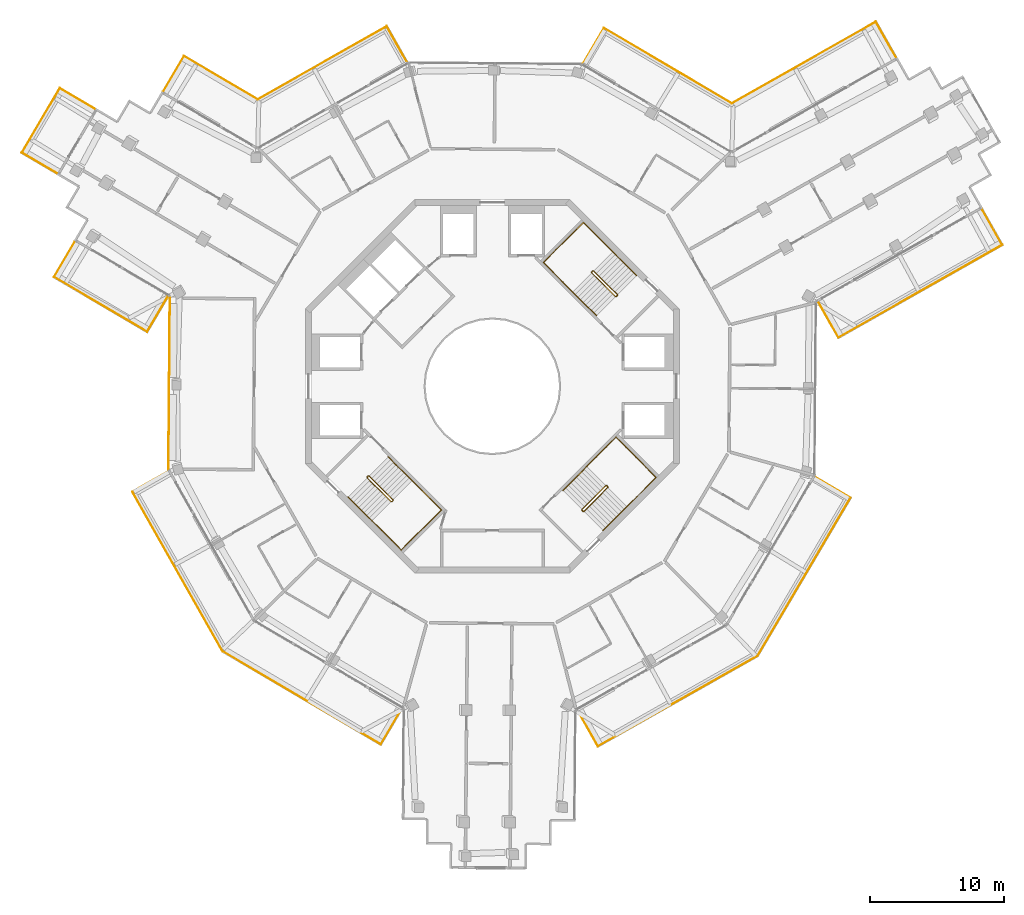
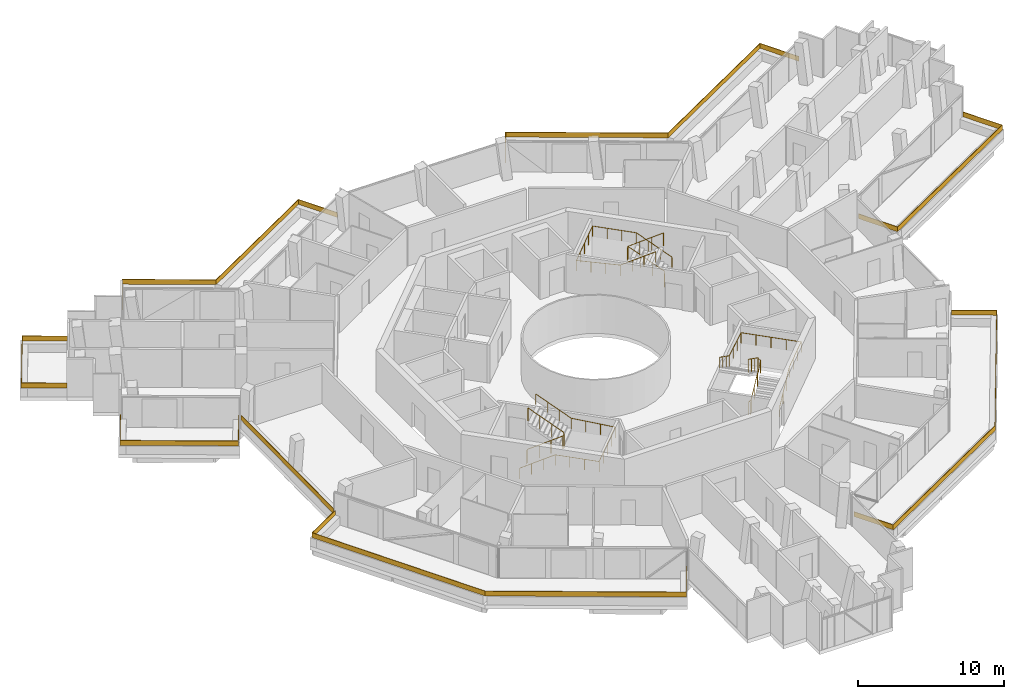
# One storey, part 24 of 24: 14 railings.
"""IFC4 building model written with IfcOpenShell, lengths in metres."""

from ifc_helpers import new_model, si_unit, direction, frame, origin, origin_2d, place, context, subcontext, project, spatial, polyline, rectangle, circle, outline, extrude, material, layer, layer_set, type_object, element, save


model = new_model("IFC4")

# Units and contexts
model_context = context("Model", 3, precision=1e-05, world=origin(), true_north=direction((0.0, 1.0)))
body_context = subcontext(model_context, "Body", "Model", "MODEL_VIEW")
ifc_project = project(units=[si_unit("LENGTHUNIT", "METRE"), si_unit("AREAUNIT", "SQUARE_METRE"), si_unit("VOLUMEUNIT", "CUBIC_METRE"), si_unit("PLANEANGLEUNIT", "RADIAN"), si_unit("MASSUNIT", "GRAM", prefix="KILO")], contexts=[model_context])

# Site, building, storey
site_placement = place(None, origin())
site = spatial("IfcSite", under=ifc_project, at=site_placement, CompositionType="ELEMENT")
building_placement = place(site_placement, origin())
building = spatial("IfcBuilding", under=site, at=building_placement, Name="Verdalira Terraces Hotel", CompositionType="ELEMENT")
storey_placement = place(building_placement, frame((0.0, 0.0, 277.5)))
storey = spatial("IfcBuildingStorey", under=building, at=storey_placement, Name="L68", CompositionType="ELEMENT", Elevation=277.5)

# Railings
ifc_material_1 = material(Name="Laminated glass", Category="glass")
ifc_layer = layer(ifc_material_1, 0.0400390625)
ifc_layer_set = layer_set([ifc_layer], Name="Balcony glass guard 400")
railing_type_1 = type_object("IfcRailingType", Name="Balcony glass guard 400", PredefinedType="GUARDRAIL", material=ifc_layer_set)
railing_1_placement = place(storey_placement, frame((0.0, 0.0, 0.699951)))
element("IfcRailing", 1, at=railing_1_placement, inside=storey, type_object=railing_type_1, Name="Balcony glass guard", PredefinedType="GUARDRAIL", context=body_context, shape_type="SweptSolid", body=[
    extrude(outline(polyline([(-32.395508, 22.292969), (-35.215576, 17.501221), (-32.562256, 15.939453), (-32.58252, 15.905029), (-35.270508, 17.487061), (-32.409668, 22.347656), (-29.72168, 20.765625), (-29.741943, 20.731201), (-32.395508, 22.292969)])), origin(), (0.0, 0.0, 1.0), 0.400146),
])
railing_2_placement = place(storey_placement, frame((0.0, 0.0, 0.699951)))
element("IfcRailing", 2, at=railing_2_placement, inside=storey, type_object=railing_type_1, Name="Balcony glass guard", PredefinedType="GUARDRAIL", context=body_context, shape_type="SweptSolid", body=[
    extrude(outline(polyline([(-32.804688, 8.19165), (-25.868652, 4.109619), (-24.306885, 6.762939), (-24.272461, 6.742676), (-25.854492, 4.054688), (-32.859375, 8.17749), (-31.277344, 10.865479), (-31.24292, 10.845215), (-32.804688, 8.19165)])), origin(), (0.0, 0.0, 1.0), 0.400146),
])
railing_3_placement = place(storey_placement, frame((0.0, 0.0, 0.699951)))
element("IfcRailing", 3, at=railing_3_placement, inside=storey, type_object=railing_type_1, Name="Balcony glass guard", PredefinedType="GUARDRAIL", context=body_context, shape_type="SweptSolid", body=[
    extrude(outline(polyline([(-26.932861, -7.918457), (-20.179932, -19.844727), (-8.368652, -26.796631), (-6.806885, -24.143066), (-6.772461, -24.16333), (-8.354492, -26.851318), (-20.209473, -19.873779), (-26.987549, -7.903564), (-24.273438, -6.366699), (-24.253662, -6.401367), (-26.932861, -7.918457)])), origin(), (0.0, 0.0, 1.0), 0.400146),
])
railing_4_placement = place(storey_placement, frame((0.0, 0.0, 0.699951)))
element("IfcRailing", 4, at=railing_4_placement, inside=storey, type_object=railing_type_1, Name="Balcony glass guard", PredefinedType="GUARDRAIL", context=body_context, shape_type="SweptSolid", body=[
    extrude(outline(polyline([(7.918457, -26.932861), (19.844727, -20.179932), (26.796631, -8.368652), (24.143066, -6.806885), (24.16333, -6.772461), (26.851318, -8.354492), (19.873779, -20.209473), (7.903564, -26.987549), (6.366699, -24.273438), (6.401367, -24.253662), (7.918457, -26.932861)])), origin(), (0.0, 0.0, 1.0), 0.400146),
])
railing_5_placement = place(storey_placement, frame((0.0, 0.0, 0.699951)))
element("IfcRailing", 5, at=railing_5_placement, inside=storey, type_object=railing_type_1, Name="Balcony glass guard", PredefinedType="GUARDRAIL", context=body_context, shape_type="SweptSolid", body=[
    extrude(outline(polyline([(25.933838, 3.675537), (38.158447, 10.597412), (36.641113, 13.276611), (36.676025, 13.296387), (38.212891, 10.582275), (25.918945, 3.621094), (24.38208, 6.335205), (24.416748, 6.354736), (25.933838, 3.675537)])), origin(), (0.0, 0.0, 1.0), 0.400146),
])
railing_6_placement = place(storey_placement, frame((0.0, 0.0, 0.699951)))
element("IfcRailing", 6, at=railing_6_placement, inside=storey, type_object=railing_type_1, Name="Balcony glass guard", PredefinedType="GUARDRAIL", context=body_context, shape_type="SweptSolid", body=[
    extrude(outline(polyline([(28.717773, 27.27002), (17.936279, 21.165283), (8.368652, 26.796631), (6.806885, 24.143066), (6.772461, 24.16333), (8.354492, 26.851318), (17.936768, 21.211426), (28.732666, 27.324707), (30.269531, 24.610596), (30.234863, 24.59082), (28.717773, 27.27002)])), origin(), (0.0, 0.0, 1.0), 0.400146),
])
railing_7_placement = place(storey_placement, frame((0.0, 0.0, 0.699951)))
element("IfcRailing", 7, at=railing_7_placement, inside=storey, type_object=railing_type_1, Name="Balcony glass guard", PredefinedType="GUARDRAIL", context=body_context, shape_type="SweptSolid", body=[
    extrude(outline(polyline([(-7.918457, 26.932861), (-17.579102, 21.462891), (-23.085938, 24.704102), (-24.647705, 22.050537), (-24.682129, 22.070801), (-23.100098, 24.758789), (-17.578857, 21.509033), (-7.903564, 26.987549), (-6.366699, 24.273438), (-6.401367, 24.253662), (-7.918457, 26.932861)])), origin(), (0.0, 0.0, 1.0), 0.400146),
])
railing_8_placement = place(storey_placement, frame((-24.20752, 0.202881, 0.699951), z_axis=(0.0, 0.0, 1.0), x_axis=(-0.008377482, -0.999964908, 0.0)))
element("IfcRailing", 8, at=railing_8_placement, inside=storey, type_object=railing_type_1, Name="Loggia glass guard", PredefinedType="GUARDRAIL", context=body_context, shape_type="SweptSolid", body=[
    extrude(rectangle(XDim=12.840088, YDim=0.040039, at=origin_2d()), origin(), (0.0, 0.0, 1.0), 0.399902),
])
ifc_material_2 = material(Name="Stainless steel", Category="steel")
railing_type_2 = type_object("IfcRailingType", Name="Stair guard 1100", PredefinedType="GUARDRAIL", material=ifc_material_2)
railing_9_placement = place(storey_placement, frame((9.369141, 6.78833, 0.0)))
element("IfcRailing", 9, at=railing_9_placement, inside=storey, type_object=railing_type_2, Name="L68 ST1 stair guard 1", PredefinedType="GUARDRAIL", context=body_context, shape_type="SweptSolid", body=[
    extrude(circle(Radius=0.023926, at=origin_2d()), frame((0.0, 0.0, 1.076172), z_axis=(-0.707106781, -0.707106781, 0.0), x_axis=(0.707106781, -0.707106781, 0.0)), (0.0, 0.0, 1.0), 0.100098),
    extrude(circle(Radius=0.023926, at=origin_2d()), frame((-0.070801, -0.070801, 1.076172), z_axis=(0.300162975, 0.599290904, 0.742127078), x_axis=(-0.894118129, 0.447831187, 0.0)), (0.0, 0.0, 1.0), 0.23584),
    extrude(circle(Radius=0.023926, at=origin_2d()), frame((0.0, 0.070557, 1.250977), z_axis=(-0.599637504, 0.599637504, 0.52997144), x_axis=(-0.707106781, -0.707106781, 0.0)), (0.0, 0.0, 1.0), 2.97168),
    extrude(circle(Radius=0.023926, at=origin_2d()), frame((-1.781982, 1.852539, 2.826172), z_axis=(-1.0, 0.0, 0.0), x_axis=(0.0, -1.0, 0.0)), (0.0, 0.0, 1.0), 0.070557),
    extrude(circle(Radius=0.023926, at=origin_2d()), frame((-1.852539, 1.852539, 2.826172), z_axis=(-0.707106781, -0.707106781, 0.0), x_axis=(0.707106781, -0.707106781, 0.0)), (0.0, 0.0, 1.0), 0.100098),
    extrude(circle(Radius=0.023926, at=origin_2d()), frame((-1.92334, 1.781738, 2.826172), z_axis=(0.0, -0.373842709, 0.927492118), x_axis=(1.0, 0.0, 0.0)), (0.0, 0.0, 1.0), 0.188721),
    extrude(circle(Radius=0.023926, at=origin_2d()), frame((-1.92334, 1.711182, 3.000977), z_axis=(0.599637504, -0.599637504, 0.52997144), x_axis=(0.707106781, 0.707106781, 0.0)), (0.0, 0.0, 1.0), 2.97168),
    extrude(circle(Radius=0.020996, at=origin_2d()), origin(), (0.0, 0.0, 1.0), 1.052002),
    extrude(circle(Radius=0.020996, at=origin_2d()), frame((-0.070801, -0.070801, 0.0)), (0.0, 0.0, 1.0), 1.052002),
    extrude(circle(Radius=0.020996, at=origin_2d()), frame((0.0, 0.070557, 0.175049)), (0.0, 0.0, 1.0), 1.052002),
    extrude(circle(Radius=0.020996, at=origin_2d()), frame((-0.593994, 0.664551, 0.699951)), (0.0, 0.0, 1.0), 1.052002),
    extrude(circle(Radius=0.020996, at=origin_2d()), frame((-1.187988, 1.258545, 1.225098)), (0.0, 0.0, 1.0), 1.052002),
    extrude(circle(Radius=0.020996, at=origin_2d()), frame((-1.781982, 1.852539, 1.75)), (0.0, 0.0, 1.0), 1.052002),
    extrude(circle(Radius=0.020996, at=origin_2d()), frame((-1.852539, 1.852539, 1.75)), (0.0, 0.0, 1.0), 1.052002),
    extrude(circle(Radius=0.020996, at=origin_2d()), frame((-1.92334, 1.781738, 1.75)), (0.0, 0.0, 1.0), 1.052002),
    extrude(circle(Radius=0.020996, at=origin_2d()), frame((-1.92334, 1.711182, 1.925049)), (0.0, 0.0, 1.0), 1.052002),
    extrude(circle(Radius=0.020996, at=origin_2d()), frame((-1.329346, 1.117188, 2.449951)), (0.0, 0.0, 1.0), 1.052002),
    extrude(circle(Radius=0.020996, at=origin_2d()), frame((-0.735352, 0.523193, 2.975098)), (0.0, 0.0, 1.0), 1.052002),
    extrude(circle(Radius=0.020996, at=origin_2d()), frame((-0.141357, -0.070801, 3.5)), (0.0, 0.0, 1.0), 1.052002),
])
railing_10_placement = place(storey_placement, frame((-9.369141, -6.78833, 0.0)))
element("IfcRailing", 10, at=railing_10_placement, inside=storey, type_object=railing_type_2, Name="L68 ST2 stair guard 1", PredefinedType="GUARDRAIL", context=body_context, shape_type="SweptSolid", body=[
    extrude(circle(Radius=0.023926, at=origin_2d()), frame((0.0, 0.0, 1.076172), z_axis=(0.707106781, 0.707106781, 0.0), x_axis=(-0.707106781, 0.707106781, 0.0)), (0.0, 0.0, 1.0), 0.100098),
    extrude(circle(Radius=0.023926, at=origin_2d()), frame((0.070801, 0.070801, 1.076172), z_axis=(-0.300162975, -0.599290904, 0.742127078), x_axis=(0.894118129, -0.447831187, 0.0)), (0.0, 0.0, 1.0), 0.23584),
    extrude(circle(Radius=0.023926, at=origin_2d()), frame((0.0, -0.070557, 1.250977), z_axis=(0.599637504, -0.599637504, 0.52997144), x_axis=(0.707106781, 0.707106781, 0.0)), (0.0, 0.0, 1.0), 2.97168),
    extrude(circle(Radius=0.023926, at=origin_2d()), frame((1.781982, -1.852539, 2.826172), z_axis=(1.0, 0.0, 0.0), x_axis=(0.0, 1.0, 0.0)), (0.0, 0.0, 1.0), 0.070557),
    extrude(circle(Radius=0.023926, at=origin_2d()), frame((1.852539, -1.852539, 2.826172), z_axis=(0.707106781, 0.707106781, 0.0), x_axis=(-0.707106781, 0.707106781, 0.0)), (0.0, 0.0, 1.0), 0.100098),
    extrude(circle(Radius=0.023926, at=origin_2d()), frame((1.92334, -1.781738, 2.826172), z_axis=(0.0, 0.373842709, 0.927492118), x_axis=(-1.0, 0.0, 0.0)), (0.0, 0.0, 1.0), 0.188721),
    extrude(circle(Radius=0.023926, at=origin_2d()), frame((1.92334, -1.711182, 3.000977), z_axis=(-0.599637504, 0.599637504, 0.52997144), x_axis=(-0.707106781, -0.707106781, 0.0)), (0.0, 0.0, 1.0), 2.97168),
    extrude(circle(Radius=0.020996, at=origin_2d()), origin(), (0.0, 0.0, 1.0), 1.052002),
    extrude(circle(Radius=0.020996, at=origin_2d()), frame((0.070801, 0.070801, 0.0)), (0.0, 0.0, 1.0), 1.052002),
    extrude(circle(Radius=0.020996, at=origin_2d()), frame((0.0, -0.070557, 0.175049)), (0.0, 0.0, 1.0), 1.052002),
    extrude(circle(Radius=0.020996, at=origin_2d()), frame((0.593994, -0.664551, 0.699951)), (0.0, 0.0, 1.0), 1.052002),
    extrude(circle(Radius=0.020996, at=origin_2d()), frame((1.187988, -1.258545, 1.225098)), (0.0, 0.0, 1.0), 1.052002),
    extrude(circle(Radius=0.020996, at=origin_2d()), frame((1.781982, -1.852539, 1.75)), (0.0, 0.0, 1.0), 1.052002),
    extrude(circle(Radius=0.020996, at=origin_2d()), frame((1.852539, -1.852539, 1.75)), (0.0, 0.0, 1.0), 1.052002),
    extrude(circle(Radius=0.020996, at=origin_2d()), frame((1.92334, -1.781738, 1.75)), (0.0, 0.0, 1.0), 1.052002),
    extrude(circle(Radius=0.020996, at=origin_2d()), frame((1.92334, -1.711182, 1.925049)), (0.0, 0.0, 1.0), 1.052002),
    extrude(circle(Radius=0.020996, at=origin_2d()), frame((1.329346, -1.117188, 2.449951)), (0.0, 0.0, 1.0), 1.052002),
    extrude(circle(Radius=0.020996, at=origin_2d()), frame((0.735352, -0.523193, 2.975098)), (0.0, 0.0, 1.0), 1.052002),
    extrude(circle(Radius=0.020996, at=origin_2d()), frame((0.141357, 0.070801, 3.5)), (0.0, 0.0, 1.0), 1.052002),
])
railing_11_placement = place(storey_placement, frame((6.78833, -9.369141, 0.0)))
element("IfcRailing", 11, at=railing_11_placement, inside=storey, type_object=railing_type_2, Name="L68 ST3 stair guard 1", PredefinedType="GUARDRAIL", context=body_context, shape_type="SweptSolid", body=[
    extrude(circle(Radius=0.023926, at=origin_2d()), frame((0.0, 0.0, 1.076172), z_axis=(-0.707106781, 0.707106781, 0.0), x_axis=(-0.707106781, -0.707106781, 0.0)), (0.0, 0.0, 1.0), 0.100098),
    extrude(circle(Radius=0.023926, at=origin_2d()), frame((-0.070801, 0.070801, 1.076172), z_axis=(0.599290904, -0.300162975, 0.742127078), x_axis=(0.447831187, 0.894118129, 0.0)), (0.0, 0.0, 1.0), 0.23584),
    extrude(circle(Radius=0.023926, at=origin_2d()), frame((0.070557, 0.0, 1.250977), z_axis=(0.599637504, 0.599637504, 0.52997144), x_axis=(-0.707106781, 0.707106781, 0.0)), (0.0, 0.0, 1.0), 2.97168),
    extrude(circle(Radius=0.023926, at=origin_2d()), frame((1.852539, 1.781982, 2.826172), z_axis=(0.0, 1.0, 0.0), x_axis=(-1.0, 0.0, 0.0)), (0.0, 0.0, 1.0), 0.070557),
    extrude(circle(Radius=0.023926, at=origin_2d()), frame((1.852539, 1.852539, 2.826172), z_axis=(-0.707106781, 0.707106781, 0.0), x_axis=(-0.707106781, -0.707106781, 0.0)), (0.0, 0.0, 1.0), 0.100098),
    extrude(circle(Radius=0.023926, at=origin_2d()), frame((1.781738, 1.92334, 2.826172), z_axis=(-0.373842709, 0.0, 0.927492118), x_axis=(0.0, -1.0, 0.0)), (0.0, 0.0, 1.0), 0.188721),
    extrude(circle(Radius=0.023926, at=origin_2d()), frame((1.711182, 1.92334, 3.000977), z_axis=(-0.599637504, -0.599637504, 0.52997144), x_axis=(0.707106781, -0.707106781, 0.0)), (0.0, 0.0, 1.0), 2.97168),
    extrude(circle(Radius=0.020996, at=origin_2d()), origin(), (0.0, 0.0, 1.0), 1.052002),
    extrude(circle(Radius=0.020996, at=origin_2d()), frame((-0.070801, 0.070801, 0.0)), (0.0, 0.0, 1.0), 1.052002),
    extrude(circle(Radius=0.020996, at=origin_2d()), frame((0.070557, 0.0, 0.175049)), (0.0, 0.0, 1.0), 1.052002),
    extrude(circle(Radius=0.020996, at=origin_2d()), frame((0.664551, 0.593994, 0.699951)), (0.0, 0.0, 1.0), 1.052002),
    extrude(circle(Radius=0.020996, at=origin_2d()), frame((1.258545, 1.187988, 1.225098)), (0.0, 0.0, 1.0), 1.052002),
    extrude(circle(Radius=0.020996, at=origin_2d()), frame((1.852539, 1.781982, 1.75)), (0.0, 0.0, 1.0), 1.052002),
    extrude(circle(Radius=0.020996, at=origin_2d()), frame((1.852539, 1.852539, 1.75)), (0.0, 0.0, 1.0), 1.052002),
    extrude(circle(Radius=0.020996, at=origin_2d()), frame((1.781738, 1.92334, 1.75)), (0.0, 0.0, 1.0), 1.052002),
    extrude(circle(Radius=0.020996, at=origin_2d()), frame((1.711182, 1.92334, 1.925049)), (0.0, 0.0, 1.0), 1.052002),
    extrude(circle(Radius=0.020996, at=origin_2d()), frame((1.117188, 1.329346, 2.449951)), (0.0, 0.0, 1.0), 1.052002),
    extrude(circle(Radius=0.020996, at=origin_2d()), frame((0.523193, 0.735352, 2.975098)), (0.0, 0.0, 1.0), 1.052002),
    extrude(circle(Radius=0.020996, at=origin_2d()), frame((-0.070801, 0.141357, 3.5)), (0.0, 0.0, 1.0), 1.052002),
])
ifc_material_3 = material(Name="Stainless steel", Category="steel")
railing_type_3 = type_object("IfcRailingType", Name="Stair handrail 900", PredefinedType="HANDRAIL", material=ifc_material_3)
railing_12_placement = place(storey_placement, frame((10.801025, 8.290771, 0.175049)))
element("IfcRailing", 12, at=railing_12_placement, inside=storey, type_object=railing_type_3, Name="L68 ST1 stair handrail 1", PredefinedType="HANDRAIL", context=body_context, shape_type="SweptSolid", body=[
    extrude(circle(Radius=0.023926, at=origin_2d()), frame((0.0, 0.0, 0.875977), z_axis=(-0.599637504, 0.599637504, 0.52997144), x_axis=(-0.707106781, -0.707106781, 0.0)), (0.0, 0.0, 1.0), 2.97168),
    extrude(circle(Radius=0.023926, at=origin_2d()), frame((-1.781982, 1.781982, 2.450684), z_axis=(-0.707106781, 0.707106781, 0.0), x_axis=(-0.707106781, -0.707106781, 0.0)), (0.0, 0.0, 1.0), 3.10498),
    extrude(circle(Radius=0.023926, at=origin_2d()), frame((-3.977539, 3.977539, 2.450684), z_axis=(-0.707106781, -0.707106781, 0.0), x_axis=(0.707106781, -0.707106781, 0.0)), (0.0, 0.0, 1.0), 4.25),
    extrude(circle(Radius=0.023926, at=origin_2d()), frame((-6.982666, 0.972412, 2.450684), z_axis=(0.705985743, -0.705985743, 0.05628731), x_axis=(0.707106781, 0.707106781, 0.0)), (0.0, 0.0, 1.0), 3.109863),
    extrude(circle(Radius=0.023926, at=origin_2d()), frame((-4.787109, -1.223145, 2.625977), z_axis=(0.599637504, -0.599637504, 0.52997144), x_axis=(0.707106781, 0.707106781, 0.0)), (0.0, 0.0, 1.0), 2.97168),
    extrude(circle(Radius=0.020996, at=origin_2d()), origin(), (0.0, 0.0, 1.0), 0.851807),
    extrude(circle(Radius=0.020996, at=origin_2d()), frame((-0.593994, 0.593994, 0.524902)), (0.0, 0.0, 1.0), 0.851807),
    extrude(circle(Radius=0.020996, at=origin_2d()), frame((-1.187988, 1.187988, 1.050049)), (0.0, 0.0, 1.0), 0.851807),
    extrude(circle(Radius=0.020996, at=origin_2d()), frame((-1.781982, 1.781982, 1.574951)), (0.0, 0.0, 1.0), 0.851807),
    extrude(circle(Radius=0.020996, at=origin_2d()), frame((-2.513916, 2.513916, 1.574951)), (0.0, 0.0, 1.0), 0.851807),
    extrude(circle(Radius=0.020996, at=origin_2d()), frame((-3.245605, 3.245605, 1.574951)), (0.0, 0.0, 1.0), 0.851807),
    extrude(circle(Radius=0.020996, at=origin_2d()), frame((-3.977539, 3.977539, 1.574951)), (0.0, 0.0, 1.0), 0.851807),
    extrude(circle(Radius=0.020996, at=origin_2d()), frame((-4.72876, 3.226318, 1.574951)), (0.0, 0.0, 1.0), 0.851807),
    extrude(circle(Radius=0.020996, at=origin_2d()), frame((-5.47998, 2.475098, 1.574951)), (0.0, 0.0, 1.0), 0.851807),
    extrude(circle(Radius=0.020996, at=origin_2d()), frame((-6.231445, 1.723633, 1.574951)), (0.0, 0.0, 1.0), 0.851807),
    extrude(circle(Radius=0.020996, at=origin_2d()), frame((-6.982666, 0.972412, 1.574951)), (0.0, 0.0, 1.0), 0.851807),
    extrude(circle(Radius=0.020996, at=origin_2d()), frame((-6.250732, 0.240479, 1.633301)), (0.0, 0.0, 1.0), 0.851807),
    extrude(circle(Radius=0.020996, at=origin_2d()), frame((-5.519043, -0.491211, 1.69165)), (0.0, 0.0, 1.0), 0.851807),
    extrude(circle(Radius=0.020996, at=origin_2d()), frame((-4.787109, -1.223145, 1.75)), (0.0, 0.0, 1.0), 0.851807),
    extrude(circle(Radius=0.020996, at=origin_2d()), frame((-4.193115, -1.817139, 2.274902)), (0.0, 0.0, 1.0), 0.851807),
    extrude(circle(Radius=0.020996, at=origin_2d()), frame((-3.599121, -2.411133, 2.800049)), (0.0, 0.0, 1.0), 0.851807),
    extrude(circle(Radius=0.020996, at=origin_2d()), frame((-3.005127, -3.005127, 3.324951)), (0.0, 0.0, 1.0), 0.851807),
])
railing_13_placement = place(storey_placement, frame((-10.801025, -8.290771, 0.175049)))
element("IfcRailing", 13, at=railing_13_placement, inside=storey, type_object=railing_type_3, Name="L68 ST2 stair handrail 1", PredefinedType="HANDRAIL", context=body_context, shape_type="SweptSolid", body=[
    extrude(circle(Radius=0.023926, at=origin_2d()), frame((0.0, 0.0, 0.875977), z_axis=(0.599637504, -0.599637504, 0.52997144), x_axis=(0.707106781, 0.707106781, 0.0)), (0.0, 0.0, 1.0), 2.97168),
    extrude(circle(Radius=0.023926, at=origin_2d()), frame((1.781982, -1.781982, 2.450684), z_axis=(0.707106781, -0.707106781, 0.0), x_axis=(0.707106781, 0.707106781, 0.0)), (0.0, 0.0, 1.0), 3.10498),
    extrude(circle(Radius=0.023926, at=origin_2d()), frame((3.977539, -3.977539, 2.450684), z_axis=(0.707106781, 0.707106781, 0.0), x_axis=(-0.707106781, 0.707106781, 0.0)), (0.0, 0.0, 1.0), 4.25),
    extrude(circle(Radius=0.023926, at=origin_2d()), frame((6.982666, -0.972412, 2.450684), z_axis=(-0.705985743, 0.705985743, 0.05628731), x_axis=(-0.707106781, -0.707106781, 0.0)), (0.0, 0.0, 1.0), 3.109863),
    extrude(circle(Radius=0.023926, at=origin_2d()), frame((4.787109, 1.223145, 2.625977), z_axis=(-0.599637504, 0.599637504, 0.52997144), x_axis=(-0.707106781, -0.707106781, 0.0)), (0.0, 0.0, 1.0), 2.97168),
    extrude(circle(Radius=0.020996, at=origin_2d()), origin(), (0.0, 0.0, 1.0), 0.851807),
    extrude(circle(Radius=0.020996, at=origin_2d()), frame((0.593994, -0.593994, 0.524902)), (0.0, 0.0, 1.0), 0.851807),
    extrude(circle(Radius=0.020996, at=origin_2d()), frame((1.187988, -1.187988, 1.050049)), (0.0, 0.0, 1.0), 0.851807),
    extrude(circle(Radius=0.020996, at=origin_2d()), frame((1.781982, -1.781982, 1.574951)), (0.0, 0.0, 1.0), 0.851807),
    extrude(circle(Radius=0.020996, at=origin_2d()), frame((2.513916, -2.513916, 1.574951)), (0.0, 0.0, 1.0), 0.851807),
    extrude(circle(Radius=0.020996, at=origin_2d()), frame((3.245605, -3.245605, 1.574951)), (0.0, 0.0, 1.0), 0.851807),
    extrude(circle(Radius=0.020996, at=origin_2d()), frame((3.977539, -3.977539, 1.574951)), (0.0, 0.0, 1.0), 0.851807),
    extrude(circle(Radius=0.020996, at=origin_2d()), frame((4.72876, -3.226318, 1.574951)), (0.0, 0.0, 1.0), 0.851807),
    extrude(circle(Radius=0.020996, at=origin_2d()), frame((5.47998, -2.475098, 1.574951)), (0.0, 0.0, 1.0), 0.851807),
    extrude(circle(Radius=0.020996, at=origin_2d()), frame((6.231445, -1.723633, 1.574951)), (0.0, 0.0, 1.0), 0.851807),
    extrude(circle(Radius=0.020996, at=origin_2d()), frame((6.982666, -0.972412, 1.574951)), (0.0, 0.0, 1.0), 0.851807),
    extrude(circle(Radius=0.020996, at=origin_2d()), frame((6.250732, -0.240479, 1.633301)), (0.0, 0.0, 1.0), 0.851807),
    extrude(circle(Radius=0.020996, at=origin_2d()), frame((5.519043, 0.491211, 1.69165)), (0.0, 0.0, 1.0), 0.851807),
    extrude(circle(Radius=0.020996, at=origin_2d()), frame((4.787109, 1.223145, 1.75)), (0.0, 0.0, 1.0), 0.851807),
    extrude(circle(Radius=0.020996, at=origin_2d()), frame((4.193115, 1.817139, 2.274902)), (0.0, 0.0, 1.0), 0.851807),
    extrude(circle(Radius=0.020996, at=origin_2d()), frame((3.599121, 2.411133, 2.800049)), (0.0, 0.0, 1.0), 0.851807),
    extrude(circle(Radius=0.020996, at=origin_2d()), frame((3.005127, 3.005127, 3.324951)), (0.0, 0.0, 1.0), 0.851807),
])
railing_14_placement = place(storey_placement, frame((8.290771, -10.801025, 0.175049)))
element("IfcRailing", 14, at=railing_14_placement, inside=storey, type_object=railing_type_3, Name="L68 ST3 stair handrail 1", PredefinedType="HANDRAIL", context=body_context, shape_type="SweptSolid", body=[
    extrude(circle(Radius=0.023926, at=origin_2d()), frame((0.0, 0.0, 0.875977), z_axis=(0.599637504, 0.599637504, 0.52997144), x_axis=(-0.707106781, 0.707106781, 0.0)), (0.0, 0.0, 1.0), 2.97168),
    extrude(circle(Radius=0.023926, at=origin_2d()), frame((1.781982, 1.781982, 2.450684), z_axis=(0.707106781, 0.707106781, 0.0), x_axis=(-0.707106781, 0.707106781, 0.0)), (0.0, 0.0, 1.0), 3.10498),
    extrude(circle(Radius=0.023926, at=origin_2d()), frame((3.977539, 3.977539, 2.450684), z_axis=(-0.707106781, 0.707106781, 0.0), x_axis=(-0.707106781, -0.707106781, 0.0)), (0.0, 0.0, 1.0), 4.25),
    extrude(circle(Radius=0.023926, at=origin_2d()), frame((0.972412, 6.982666, 2.450684), z_axis=(-0.705985743, -0.705985743, 0.05628731), x_axis=(0.707106781, -0.707106781, 0.0)), (0.0, 0.0, 1.0), 3.109863),
    extrude(circle(Radius=0.023926, at=origin_2d()), frame((-1.223145, 4.787109, 2.625977), z_axis=(-0.599637504, -0.599637504, 0.52997144), x_axis=(0.707106781, -0.707106781, 0.0)), (0.0, 0.0, 1.0), 2.97168),
    extrude(circle(Radius=0.020996, at=origin_2d()), origin(), (0.0, 0.0, 1.0), 0.851807),
    extrude(circle(Radius=0.020996, at=origin_2d()), frame((0.593994, 0.593994, 0.524902)), (0.0, 0.0, 1.0), 0.851807),
    extrude(circle(Radius=0.020996, at=origin_2d()), frame((1.187988, 1.187988, 1.050049)), (0.0, 0.0, 1.0), 0.851807),
    extrude(circle(Radius=0.020996, at=origin_2d()), frame((1.781982, 1.781982, 1.574951)), (0.0, 0.0, 1.0), 0.851807),
    extrude(circle(Radius=0.020996, at=origin_2d()), frame((2.513916, 2.513916, 1.574951)), (0.0, 0.0, 1.0), 0.851807),
    extrude(circle(Radius=0.020996, at=origin_2d()), frame((3.245605, 3.245605, 1.574951)), (0.0, 0.0, 1.0), 0.851807),
    extrude(circle(Radius=0.020996, at=origin_2d()), frame((3.977539, 3.977539, 1.574951)), (0.0, 0.0, 1.0), 0.851807),
    extrude(circle(Radius=0.020996, at=origin_2d()), frame((3.226318, 4.72876, 1.574951)), (0.0, 0.0, 1.0), 0.851807),
    extrude(circle(Radius=0.020996, at=origin_2d()), frame((2.475098, 5.47998, 1.574951)), (0.0, 0.0, 1.0), 0.851807),
    extrude(circle(Radius=0.020996, at=origin_2d()), frame((1.723633, 6.231445, 1.574951)), (0.0, 0.0, 1.0), 0.851807),
    extrude(circle(Radius=0.020996, at=origin_2d()), frame((0.972412, 6.982666, 1.574951)), (0.0, 0.0, 1.0), 0.851807),
    extrude(circle(Radius=0.020996, at=origin_2d()), frame((0.240479, 6.250732, 1.633301)), (0.0, 0.0, 1.0), 0.851807),
    extrude(circle(Radius=0.020996, at=origin_2d()), frame((-0.491211, 5.519043, 1.69165)), (0.0, 0.0, 1.0), 0.851807),
    extrude(circle(Radius=0.020996, at=origin_2d()), frame((-1.223145, 4.787109, 1.75)), (0.0, 0.0, 1.0), 0.851807),
    extrude(circle(Radius=0.020996, at=origin_2d()), frame((-1.817139, 4.193115, 2.274902)), (0.0, 0.0, 1.0), 0.851807),
    extrude(circle(Radius=0.020996, at=origin_2d()), frame((-2.411133, 3.599121, 2.800049)), (0.0, 0.0, 1.0), 0.851807),
    extrude(circle(Radius=0.020996, at=origin_2d()), frame((-3.005127, 3.005127, 3.324951)), (0.0, 0.0, 1.0), 0.851807),
])

save(model, "model.ifc")
